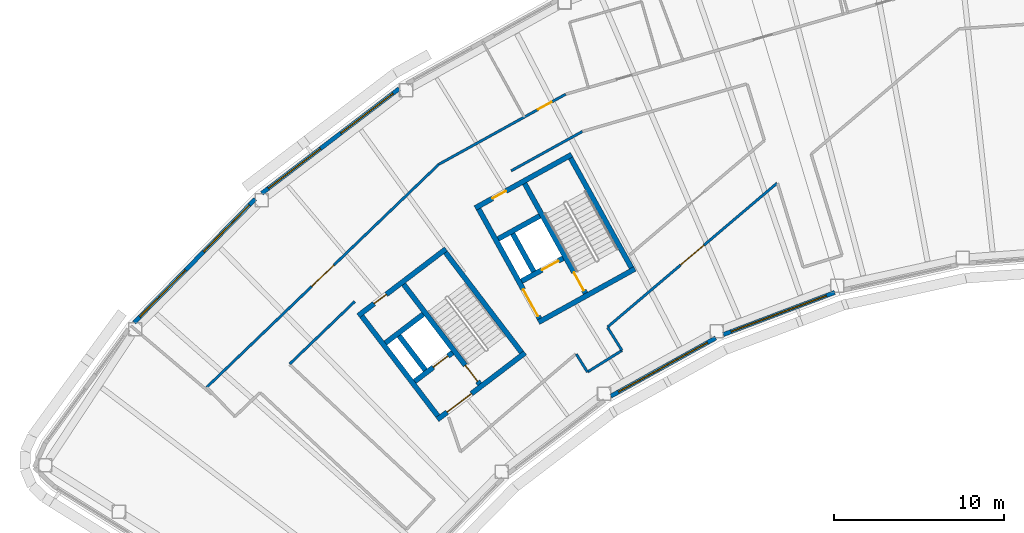
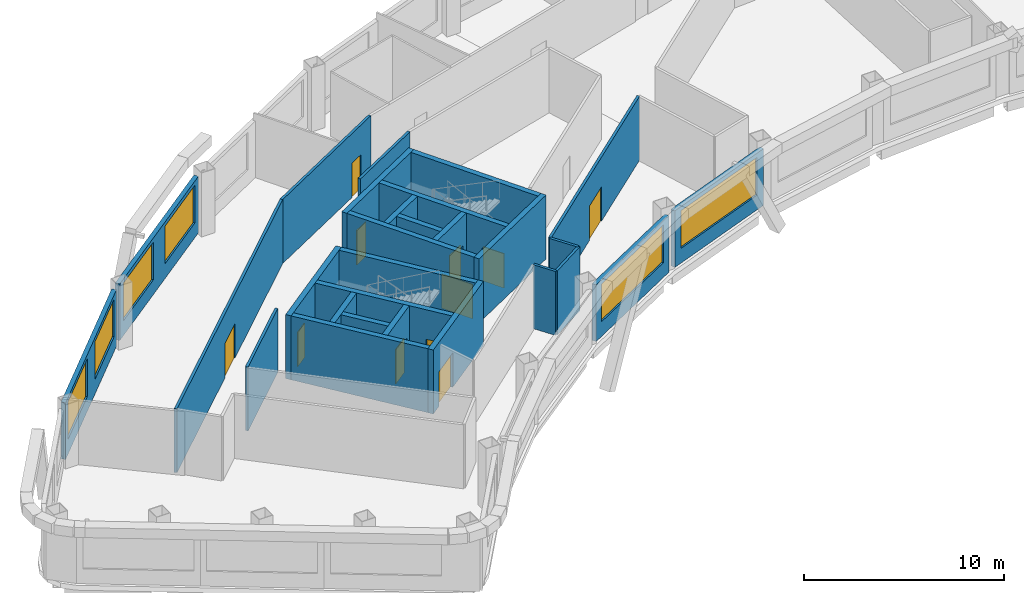
# One storey, part 5 of 15: 28 walls, 11 doors, 6 windows, 17 openings.
"""IFC4 building model written with IfcOpenShell, lengths in metres."""

from ifc_helpers import new_model, si_unit, direction, frame, frame_2d, origin, place, context, subcontext, project, spatial, rectangle, extrude, material, layer, layer_set, type_object, element, fill, save


model = new_model("IFC4")

# Units and contexts
model_context = context("Model", 3, precision=1e-05, world=origin(), true_north=direction((0.0, 1.0)))
body_context = subcontext(model_context, "Body", "Model", "MODEL_VIEW")
ifc_project = project(units=[si_unit("LENGTHUNIT", "METRE"), si_unit("AREAUNIT", "SQUARE_METRE"), si_unit("VOLUMEUNIT", "CUBIC_METRE"), si_unit("PLANEANGLEUNIT", "RADIAN"), si_unit("MASSUNIT", "GRAM", prefix="KILO")], contexts=[model_context])

# Site, building, storey
site_placement = place(None, origin())
site = spatial("IfcSite", under=ifc_project, at=site_placement, CompositionType="ELEMENT")
building_placement = place(site_placement, origin())
building = spatial("IfcBuilding", under=site, at=building_placement, Name="Tuul Gate Civic Tower", CompositionType="ELEMENT")
storey_placement = place(building_placement, frame((0.0, 0.0, 332.300048828125)))
storey = spatial("IfcBuildingStorey", under=building, at=storey_placement, Name="Level 75", CompositionType="ELEMENT", Elevation=332.300048828125)

# Wall, opening, door
ifc_material_1 = material(Name="Concrete C50/60", Category="concrete")
ifc_layer_1 = layer(ifc_material_1, 0.300048828125)
ifc_layer_set_1 = layer_set([ifc_layer_1], Name="Concrete C50/60")
wall_type_1 = type_object("IfcWallType", Name="Core wall C50/60", PredefinedType="SHEAR", material=ifc_layer_set_1)
wall_1_placement = place(storey_placement, frame((-31.19091796875, -13.669677734375, 0.0), z_axis=(0.0, 0.0, 1.0), x_axis=(-0.795606717756, -0.605813461934, 0.0)))
wall_1 = element("IfcWall", 1, at=wall_1_placement, inside=storey, type_object=wall_type_1, Name="Core wall", PredefinedType="SHEAR", context=body_context, shape_type="SweptSolid", body=[
    extrude(rectangle(XDim=6.5, YDim=0.300048828125, at=frame_2d((3.25, 0.0))), origin(), (0.0, 0.0, 1.0), 3.89990234375),
])
opening_1_placement = place(wall_1_placement, frame((3.97509765625, 0.0, 0.0)))
opening_1 = element("IfcOpeningElement", 2, at=opening_1_placement, cuts=wall_1, Name="Opening LB-W1-LOBBY-1", PredefinedType="OPENING", context=body_context, shape_type="SweptSolid", body=[
    extrude(rectangle(XDim=1.800048828125, YDim=2.10009765625, at=frame_2d((0.89990234375, 1.050048828125))), frame((0.0, 0.16015625, 0.0), z_axis=(0.0, -1.0, 0.0), x_axis=(1.0, 0.0, 0.0)), (0.0, 0.0, 1.0), 0.320068359375),
])
ifc_material_2 = material(Name="Steel", Category="steel")
door_type_1 = type_object("IfcDoorType", Name="Lobby door", OperationType="DOUBLE_DOOR_SINGLE_SWING", PredefinedType="DOOR", material=ifc_material_2)
door_1_placement = place(opening_1_placement, origin())
door_1 = element("IfcDoor", 3, at=door_1_placement, inside=storey, type_object=door_type_1, Name="Lobby door W1-LOBBY", OperationType="DOUBLE_DOOR_SINGLE_SWING", OverallHeight=2.10009765625, OverallWidth=1.800048828125, PredefinedType="DOOR", context=body_context, shape_type="SweptSolid", body=[
    extrude(rectangle(XDim=1.800048828125, YDim=2.10009765625, at=frame_2d((0.89990234375, 1.050048828125))), frame((0.0, 0.02490234375, 0.0), z_axis=(0.0, -1.0, 0.0), x_axis=(1.0, 0.0, 0.0)), (0.0, 0.0, 1.0), 0.050048828125),
])
fill(opening_1, door_1)

wall_2_placement = place(storey_placement, frame((-35.470947265625, -13.66064453125, 0.0), z_axis=(0.0, 0.0, 1.0), x_axis=(-0.795615822227, -0.605801504968, 0.0)))
wall_2 = element("IfcWall", 4, at=wall_2_placement, inside=storey, type_object=wall_type_1, Name="Core wall", PredefinedType="SHEAR", context=body_context, shape_type="SweptSolid", body=[
    extrude(rectangle(XDim=2.800048828125, YDim=0.300048828125, at=frame_2d((1.39990234375, 0.0))), origin(), (0.0, 0.0, 1.0), 3.89990234375),
])
opening_2_placement = place(wall_2_placement, frame((0.324951171875, 0.0, 0.0)))
opening_2 = element("IfcOpeningElement", 5, at=opening_2_placement, cuts=wall_2, Name="Opening LD-H1", PredefinedType="OPENING", context=body_context, shape_type="SweptSolid", body=[
    extrude(rectangle(XDim=1.10009765625, YDim=2.10009765625, at=frame_2d((0.550048828125, 1.050048828125))), frame((0.0, 0.16015625, 0.0), z_axis=(0.0, -1.0, 0.0), x_axis=(1.0, 0.0, 0.0)), (0.0, 0.0, 1.0), 0.320068359375),
])
ifc_material_3 = material(Name="Stainless steel", Category="steel")
door_type_2 = type_object("IfcDoorType", Name="Landing door", OperationType="DOUBLE_DOOR_SLIDING", PredefinedType="DOOR", material=ifc_material_3)
door_2_placement = place(opening_2_placement, origin())
door_2 = element("IfcDoor", 6, at=door_2_placement, inside=storey, type_object=door_type_2, Name="High-rise lift H1 landing door", OperationType="DOUBLE_DOOR_SLIDING", OverallHeight=2.10009765625, OverallWidth=1.10009765625, PredefinedType="DOOR", context=body_context, shape_type="SweptSolid", body=[
    extrude(rectangle(XDim=1.10009765625, YDim=2.10009765625, at=frame_2d((0.550048828125, 1.050048828125))), frame((0.0, 0.02490234375, 0.0), z_axis=(0.0, -1.0, 0.0), x_axis=(1.0, 0.0, 0.0)), (0.0, 0.0, 1.0), 0.050048828125),
])
fill(opening_2, door_2)

# Wall
wall_3_placement = place(storey_placement, frame((-37.197509765625, -11.39306640625, 0.0), z_axis=(0.0, 0.0, 1.0), x_axis=(-0.795583820278, -0.605843531707, 0.0)))
element("IfcWall", 7, at=wall_3_placement, inside=storey, type_object=wall_type_1, Name="Core wall", PredefinedType="SHEAR", context=body_context, shape_type="SweptSolid", body=[
    extrude(rectangle(XDim=2.7998046875, YDim=0.300048828125, at=frame_2d((1.39990234375, 0.0))), origin(), (0.0, 0.0, 1.0), 3.89990234375),
])

# Wall, opening, door
wall_4_placement = place(storey_placement, frame((-35.855224609375, -7.543212890625, 0.0), z_axis=(0.0, 0.0, 1.0), x_axis=(-0.79563860527, -0.605771582202, 0.0)))
wall_4 = element("IfcWall", 8, at=wall_4_placement, inside=storey, type_object=wall_type_1, Name="Core wall", PredefinedType="SHEAR", context=body_context, shape_type="SweptSolid", body=[
    extrude(rectangle(XDim=6.5, YDim=0.300048828125, at=frame_2d((3.25, 0.0))), origin(), (0.0, 0.0, 1.0), 3.89990234375),
])
opening_3_placement = place(wall_4_placement, frame((4.425048828125, 0.0, 0.0)))
opening_3 = element("IfcOpeningElement", 9, at=opening_3_placement, cuts=wall_4, Name="Opening AB-D14", PredefinedType="OPENING", context=body_context, shape_type="SweptSolid", body=[
    extrude(rectangle(XDim=0.89990234375, YDim=2.10009765625, at=frame_2d((0.449951171875, 1.050048828125))), frame((0.0, 0.16015625, 0.0), z_axis=(0.0, -1.0, 0.0), x_axis=(1.0, 0.0, 0.0)), (0.0, 0.0, 1.0), 0.320068359375),
])
ifc_material_4 = material(Name="Timber door leaf", Category="wood")
door_type_3 = type_object("IfcDoorType", Name="Door D09", OperationType="NOTDEFINED", PredefinedType="DOOR", material=ifc_material_4)
door_3_placement = place(opening_3_placement, origin())
door_3 = element("IfcDoor", 10, at=door_3_placement, inside=storey, type_object=door_type_3, Name="Door AB-D14", OperationType="SINGLE_SWING_LEFT", OverallHeight=2.10009765625, OverallWidth=0.89990234375, PredefinedType="DOOR", context=body_context, shape_type="SweptSolid", body=[
    extrude(rectangle(XDim=0.89990234375, YDim=2.10009765625, at=frame_2d((0.449951171875, 1.050048828125))), frame((0.0, 0.02490234375, 0.0), z_axis=(0.0, -1.0, 0.0), x_axis=(1.0, 0.0, 0.0)), (0.0, 0.0, 1.0), 0.050048828125),
])
fill(opening_3, door_3)

# Wall
wall_5_placement = place(storey_placement, frame((-31.401123046875, -13.64111328125, 0.0), z_axis=(0.0, 0.0, 1.0), x_axis=(-0.605769822278, 0.795639945213, 0.0)))
element("IfcWall", 11, at=wall_5_placement, inside=storey, type_object=wall_type_1, Name="Core wall", PredefinedType="SHEAR", context=body_context, shape_type="SweptSolid", body=[
    extrude(rectangle(XDim=7.39990234375, YDim=0.300048828125, at=frame_2d((3.699951171875, 0.0))), origin(), (0.0, 0.0, 1.0), 3.89990234375),
])

# Wall, opening, door
wall_6_placement = place(storey_placement, frame((-33.867431640625, -15.51904296875, 0.0), z_axis=(0.0, 0.0, 1.0), x_axis=(-0.605769822278, 0.795639945213, 0.0)))
wall_6 = element("IfcWall", 12, at=wall_6_placement, inside=storey, type_object=wall_type_1, Name="Core wall", PredefinedType="SHEAR", context=body_context, shape_type="SweptSolid", body=[
    extrude(rectangle(XDim=7.39990234375, YDim=0.300048828125, at=frame_2d((3.699951171875, 0.0))), origin(), (0.0, 0.0, 1.0), 3.89990234375),
])
opening_4_placement = place(wall_6_placement, frame((0.199951171875, 0.0, 0.0)))
opening_4 = element("IfcOpeningElement", 13, at=opening_4_placement, cuts=wall_6, Name="Opening SD-ST-1", PredefinedType="OPENING", context=body_context, shape_type="SweptSolid", body=[
    extrude(rectangle(XDim=1.199951171875, YDim=2.10009765625, at=frame_2d((0.60009765625, 1.050048828125))), frame((0.0, 0.16015625, 0.0), z_axis=(0.0, -1.0, 0.0), x_axis=(1.0, 0.0, 0.0)), (0.0, 0.0, 1.0), 0.320068359375),
])
ifc_material_5 = material(Name="Steel", Category="steel")
door_type_4 = type_object("IfcDoorType", Name="Stair door", OperationType="NOTDEFINED", PredefinedType="DOOR", material=ifc_material_5)
door_4_placement = place(opening_4_placement, origin())
door_4 = element("IfcDoor", 14, at=door_4_placement, inside=storey, type_object=door_type_4, Name="Stair door ST-1", OperationType="SINGLE_SWING_LEFT", OverallHeight=2.10009765625, OverallWidth=1.199951171875, PredefinedType="DOOR", context=body_context, shape_type="SweptSolid", body=[
    extrude(rectangle(XDim=1.199951171875, YDim=2.10009765625, at=frame_2d((0.60009765625, 1.050048828125))), frame((0.0, 0.02490234375, 0.0), z_axis=(0.0, -1.0, 0.0), x_axis=(1.0, 0.0, 0.0)), (0.0, 0.0, 1.0), 0.050048828125),
])
fill(opening_4, door_4)

# Walls
wall_7_placement = place(storey_placement, frame((-37.073486328125, -14.6923828125, 0.0), z_axis=(0.0, 0.0, 1.0), x_axis=(-0.605728760074, 0.79567120673, 0.0)))
element("IfcWall", 15, at=wall_7_placement, inside=storey, type_object=wall_type_1, Name="Core wall", PredefinedType="SHEAR", context=body_context, shape_type="SweptSolid", body=[
    extrude(rectangle(XDim=2.550048828125, YDim=0.300048828125, at=frame_2d((1.27490234375, 0.0))), origin(), (0.0, 0.0, 1.0), 3.89990234375),
])
wall_8_placement = place(storey_placement, frame((-36.333984375, -17.397216796875, 0.0), z_axis=(0.0, 0.0, 1.0), x_axis=(-0.605753921168, 0.795652051458, 0.0)))
element("IfcWall", 16, at=wall_8_placement, inside=storey, type_object=wall_type_1, Name="Core wall", PredefinedType="SHEAR", context=body_context, shape_type="SweptSolid", body=[
    extrude(rectangle(XDim=7.400146484375, YDim=0.300048828125, at=frame_2d((3.7001953125, 0.0))), origin(), (0.0, 0.0, 1.0), 3.89990234375),
])
wall_9_placement = place(storey_placement, frame((-24.711669921875, -8.7158203125, 0.0), z_axis=(0.0, 0.0, 1.0), x_axis=(-0.874629909008, -0.484791215132, 0.0)))
element("IfcWall", 17, at=wall_9_placement, inside=storey, type_object=wall_type_1, Name="Core wall", PredefinedType="SHEAR", context=body_context, shape_type="SweptSolid", body=[
    extrude(rectangle(XDim=6.5, YDim=0.300048828125, at=frame_2d((3.25, 0.0))), origin(), (0.0, 0.0, 1.0), 3.89990234375),
])

# Wall, opening, door
wall_10_placement = place(storey_placement, frame((-28.94580078125, -8.090087890625, 0.0), z_axis=(0.0, 0.0, 1.0), x_axis=(-0.874629840737, -0.484791338301, 0.0)))
wall_10 = element("IfcWall", 18, at=wall_10_placement, inside=storey, type_object=wall_type_1, Name="Core wall", PredefinedType="SHEAR", context=body_context, shape_type="SweptSolid", body=[
    extrude(rectangle(XDim=2.800048828125, YDim=0.300048828125, at=frame_2d((1.39990234375, 0.0))), origin(), (0.0, 0.0, 1.0), 3.89990234375),
])
opening_5_placement = place(wall_10_placement, frame((0.324951171875, 0.0, 0.0)))
opening_5 = element("IfcOpeningElement", 19, at=opening_5_placement, cuts=wall_10, Name="Opening LD-FF-1", PredefinedType="OPENING", context=body_context, shape_type="SweptSolid", body=[
    extrude(rectangle(XDim=1.10009765625, YDim=2.10009765625, at=frame_2d((0.550048828125, 1.050048828125))), frame((0.0, 0.16015625, 0.0), z_axis=(0.0, -1.0, 0.0), x_axis=(1.0, 0.0, 0.0)), (0.0, 0.0, 1.0), 0.320068359375),
])
door_5_placement = place(opening_5_placement, origin())
door_5 = element("IfcDoor", 20, at=door_5_placement, inside=storey, type_object=door_type_2, Name="Fire-fighting lift FF-1 landing door", OperationType="DOUBLE_DOOR_SLIDING", OverallHeight=2.10009765625, OverallWidth=1.10009765625, PredefinedType="DOOR", context=body_context, shape_type="SweptSolid", body=[
    extrude(rectangle(XDim=1.10009765625, YDim=2.10009765625, at=frame_2d((0.550048828125, 1.050048828125))), frame((0.0, 0.02490234375, 0.0), z_axis=(0.0, -1.0, 0.0), x_axis=(1.0, 0.0, 0.0)), (0.0, 0.0, 1.0), 0.050048828125),
])
fill(opening_5, door_5)

# Wall
wall_11_placement = place(storey_placement, frame((-30.327392578125, -5.59716796875, 0.0), z_axis=(0.0, 0.0, 1.0), x_axis=(-0.874629840737, -0.484791338301, 0.0)))
element("IfcWall", 21, at=wall_11_placement, inside=storey, type_object=wall_type_1, Name="Core wall", PredefinedType="SHEAR", context=body_context, shape_type="SweptSolid", body=[
    extrude(rectangle(XDim=2.800048828125, YDim=0.300048828125, at=frame_2d((1.39990234375, 0.0))), origin(), (0.0, 0.0, 1.0), 3.89990234375),
])

# Wall, opening, door
wall_12_placement = place(storey_placement, frame((-28.4443359375, -1.98095703125, 0.0), z_axis=(0.0, 0.0, 1.0), x_axis=(-0.874629909008, -0.484791215132, 0.0)))
wall_12 = element("IfcWall", 22, at=wall_12_placement, inside=storey, type_object=wall_type_1, Name="Core wall", PredefinedType="SHEAR", context=body_context, shape_type="SweptSolid", body=[
    extrude(rectangle(XDim=6.5, YDim=0.300048828125, at=frame_2d((3.25, 0.0))), origin(), (0.0, 0.0, 1.0), 3.89990234375),
])
opening_6_placement = place(wall_12_placement, frame((4.425048828125, 0.0, 0.0)))
opening_6 = element("IfcOpeningElement", 23, at=opening_6_placement, cuts=wall_12, Name="Opening AB-D15", PredefinedType="OPENING", context=body_context, shape_type="SweptSolid", body=[
    extrude(rectangle(XDim=0.89990234375, YDim=2.10009765625, at=frame_2d((0.449951171875, 1.050048828125))), frame((0.0, 0.16015625, 0.0), z_axis=(0.0, -1.0, 0.0), x_axis=(1.0, 0.0, 0.0)), (0.0, 0.0, 1.0), 0.320068359375),
])
door_6_placement = place(opening_6_placement, origin())
door_6 = element("IfcDoor", 24, at=door_6_placement, inside=storey, type_object=door_type_3, Name="Door AB-D15", OperationType="SINGLE_SWING_LEFT", OverallHeight=2.10009765625, OverallWidth=0.89990234375, PredefinedType="DOOR", context=body_context, shape_type="SweptSolid", body=[
    extrude(rectangle(XDim=0.89990234375, YDim=2.10009765625, at=frame_2d((0.449951171875, 1.050048828125))), frame((0.0, 0.02490234375, 0.0), z_axis=(0.0, -1.0, 0.0), x_axis=(1.0, 0.0, 0.0)), (0.0, 0.0, 1.0), 0.050048828125),
])
fill(opening_6, door_6)

# Wall
wall_13_placement = place(storey_placement, frame((-24.91552734375, -8.6572265625, 0.0), z_axis=(0.0, 0.0, 1.0), x_axis=(-0.484777133038, 0.874637714304, 0.0)))
element("IfcWall", 25, at=wall_13_placement, inside=storey, type_object=wall_type_1, Name="Core wall", PredefinedType="SHEAR", context=body_context, shape_type="SweptSolid", body=[
    extrude(rectangle(XDim=7.400146484375, YDim=0.300048828125, at=frame_2d((3.7001953125, 0.0))), origin(), (0.0, 0.0, 1.0), 3.89990234375),
])

# Wall, opening, door
wall_14_placement = place(storey_placement, frame((-27.626953125, -10.16015625, 0.0), z_axis=(0.0, 0.0, 1.0), x_axis=(-0.484751894226, 0.874651702704, 0.0)))
wall_14 = element("IfcWall", 26, at=wall_14_placement, inside=storey, type_object=wall_type_1, Name="Core wall", PredefinedType="SHEAR", context=body_context, shape_type="SweptSolid", body=[
    extrude(rectangle(XDim=7.39990234375, YDim=0.300048828125, at=frame_2d((3.699951171875, 0.0))), origin(), (0.0, 0.0, 1.0), 3.89990234375),
])
opening_7_placement = place(wall_14_placement, frame((0.199951171875, 0.0, 0.0)))
opening_7 = element("IfcOpeningElement", 27, at=opening_7_placement, cuts=wall_14, Name="Opening SD-ST-2", PredefinedType="OPENING", context=body_context, shape_type="SweptSolid", body=[
    extrude(rectangle(XDim=1.199951171875, YDim=2.10009765625, at=frame_2d((0.60009765625, 1.050048828125))), frame((0.0, 0.16015625, 0.0), z_axis=(0.0, -1.0, 0.0), x_axis=(1.0, 0.0, 0.0)), (0.0, 0.0, 1.0), 0.320068359375),
])
door_7_placement = place(opening_7_placement, origin())
door_7 = element("IfcDoor", 28, at=door_7_placement, inside=storey, type_object=door_type_4, Name="Stair door ST-2", OperationType="SINGLE_SWING_LEFT", OverallHeight=2.10009765625, OverallWidth=1.199951171875, PredefinedType="DOOR", context=body_context, shape_type="SweptSolid", body=[
    extrude(rectangle(XDim=1.199951171875, YDim=2.10009765625, at=frame_2d((0.60009765625, 1.050048828125))), frame((0.0, 0.02490234375, 0.0), z_axis=(0.0, -1.0, 0.0), x_axis=(1.0, 0.0, 0.0)), (0.0, 0.0, 1.0), 0.050048828125),
])
fill(opening_7, door_7)

# Wall
wall_15_placement = place(storey_placement, frame((-30.680419921875, -8.8798828125, 0.0), z_axis=(0.0, 0.0, 1.0), x_axis=(-0.484724115216, 0.874667097888, 0.0)))
element("IfcWall", 29, at=wall_15_placement, inside=storey, type_object=wall_type_1, Name="Core wall", PredefinedType="SHEAR", context=body_context, shape_type="SweptSolid", body=[
    extrude(rectangle(XDim=2.550048828125, YDim=0.300048828125, at=frame_2d((1.27490234375, 0.0))), origin(), (0.0, 0.0, 1.0), 3.89990234375),
])

# Wall, opening, door
wall_16_placement = place(storey_placement, frame((-30.33837890625, -11.6630859375, 0.0), z_axis=(0.0, 0.0, 1.0), x_axis=(-0.484751894226, 0.874651702704, 0.0)))
wall_16 = element("IfcWall", 30, at=wall_16_placement, inside=storey, type_object=wall_type_1, Name="Core wall", PredefinedType="SHEAR", context=body_context, shape_type="SweptSolid", body=[
    extrude(rectangle(XDim=7.39990234375, YDim=0.300048828125, at=frame_2d((3.699951171875, 0.0))), origin(), (0.0, 0.0, 1.0), 3.89990234375),
])
opening_8_placement = place(wall_16_placement, frame((0.175048828125, 0.0, 0.0)))
opening_8 = element("IfcOpeningElement", 31, at=opening_8_placement, cuts=wall_16, Name="Opening LB-W2-FLOBBY-1", PredefinedType="OPENING", context=body_context, shape_type="SweptSolid", body=[
    extrude(rectangle(XDim=1.800048828125, YDim=2.10009765625, at=frame_2d((0.89990234375, 1.050048828125))), frame((0.0, 0.16015625, 0.0), z_axis=(0.0, -1.0, 0.0), x_axis=(1.0, 0.0, 0.0)), (0.0, 0.0, 1.0), 0.320068359375),
])
door_8_placement = place(opening_8_placement, origin())
door_8 = element("IfcDoor", 32, at=door_8_placement, inside=storey, type_object=door_type_1, Name="Lobby door W2-FLOBBY", OperationType="DOUBLE_DOOR_SINGLE_SWING", OverallHeight=2.10009765625, OverallWidth=1.800048828125, PredefinedType="DOOR", context=body_context, shape_type="SweptSolid", body=[
    extrude(rectangle(XDim=1.800048828125, YDim=2.10009765625, at=frame_2d((0.89990234375, 1.050048828125))), frame((0.0, 0.02490234375, 0.0), z_axis=(0.0, -1.0, 0.0), x_axis=(1.0, 0.0, 0.0)), (0.0, 0.0, 1.0), 0.050048828125),
])
fill(opening_8, door_8)

ifc_material_6 = material(Name="Gypsum board partition")
ifc_layer_2 = layer(ifc_material_6, 0.14990234375)
ifc_layer_set_2 = layer_set([ifc_layer_2], Name="Gypsum board partition")
wall_type_2 = type_object("IfcWallType", Name="Corridor wall P150", PredefinedType="PARTITIONING", material=ifc_layer_set_2)
wall_17_placement = place(storey_placement, frame((-36.273193359375, -2.5517578125, 0.0), z_axis=(0.0, 0.0, 1.0), x_axis=(0.875264133396, 0.483645217892, 0.0)))
wall_17 = element("IfcWall", 33, at=wall_17_placement, inside=storey, type_object=wall_type_2, Name="p028", PredefinedType="PARTITIONING", context=body_context, shape_type="SweptSolid", body=[
    extrude(rectangle(XDim=8.545166015625, YDim=0.14990234375, at=frame_2d((4.2724609375, 0.0))), origin(), (0.0, 0.0, 1.0), 3.89990234375),
])
opening_9_placement = place(wall_17_placement, frame((6.68603515625, 0.0, 0.0)))
opening_9 = element("IfcOpeningElement", 34, at=opening_9_placement, cuts=wall_17, Name="Opening AB-D12", PredefinedType="OPENING", context=body_context, shape_type="SweptSolid", body=[
    extrude(rectangle(XDim=0.89990234375, YDim=2.10009765625, at=frame_2d((0.449951171875, 1.050048828125))), frame((0.0, 0.0849609375, 0.0), z_axis=(0.0, -1.0, 0.0), x_axis=(1.0, 0.0, 0.0)), (0.0, 0.0, 1.0), 0.169921875),
])
door_9_placement = place(opening_9_placement, origin())
door_9 = element("IfcDoor", 35, at=door_9_placement, inside=storey, type_object=door_type_3, Name="Door AB-D12", OperationType="SINGLE_SWING_LEFT", OverallHeight=2.10009765625, OverallWidth=0.89990234375, PredefinedType="DOOR", context=body_context, shape_type="SweptSolid", body=[
    extrude(rectangle(XDim=0.89990234375, YDim=2.10009765625, at=frame_2d((0.449951171875, 1.050048828125))), frame((0.0, 0.02490234375, 0.0), z_axis=(0.0, -1.0, 0.0), x_axis=(1.0, 0.0, 0.0)), (0.0, 0.0, 1.0), 0.050048828125),
])
fill(opening_9, door_9)

wall_18_placement = place(storey_placement, frame((-49.96337890625, -15.701416015625, 0.0), z_axis=(0.0, 0.0, 1.0), x_axis=(0.721200960426, 0.692725901552, 0.0)))
wall_18 = element("IfcWall", 36, at=wall_18_placement, inside=storey, type_object=wall_type_2, Name="p029", PredefinedType="PARTITIONING", context=body_context, shape_type="SweptSolid", body=[
    extrude(rectangle(XDim=18.982421875, YDim=0.14990234375, at=frame_2d((9.4912109375, 0.0))), origin(), (0.0, 0.0, 1.0), 3.89990234375),
])
opening_10_placement = place(wall_18_placement, frame((8.59130859375, 0.0, 0.0)))
opening_10 = element("IfcOpeningElement", 37, at=opening_10_placement, cuts=wall_18, Name="Opening AB-D05", PredefinedType="OPENING", context=body_context, shape_type="SweptSolid", body=[
    extrude(rectangle(XDim=1.800048828125, YDim=2.10009765625, at=frame_2d((0.89990234375, 1.050048828125))), frame((0.0, 0.0849609375, 0.0), z_axis=(0.0, -1.0, 0.0), x_axis=(1.0, 0.0, 0.0)), (0.0, 0.0, 1.0), 0.169921875),
])
ifc_material_7 = material(Name="Timber door leaf, double", Category="wood")
door_type_5 = type_object("IfcDoorType", Name="Door D18", OperationType="DOUBLE_DOOR_SINGLE_SWING", PredefinedType="DOOR", material=ifc_material_7)
door_10_placement = place(opening_10_placement, origin())
door_10 = element("IfcDoor", 38, at=door_10_placement, inside=storey, type_object=door_type_5, Name="Door AB-D05", OperationType="DOUBLE_DOOR_SINGLE_SWING", OverallHeight=2.10009765625, OverallWidth=1.800048828125, PredefinedType="DOOR", context=body_context, shape_type="SweptSolid", body=[
    extrude(rectangle(XDim=1.800048828125, YDim=2.10009765625, at=frame_2d((0.89990234375, 1.050048828125))), frame((0.0, 0.02490234375, 0.0), z_axis=(0.0, -1.0, 0.0), x_axis=(1.0, 0.0, 0.0)), (0.0, 0.0, 1.0), 0.050048828125),
])
fill(opening_10, door_10)

# Wall
wall_19_placement = place(storey_placement, frame((-45.06982421875, -14.32861328125, 0.0), z_axis=(0.0, 0.0, 1.0), x_axis=(0.721217580517, 0.692708597863, 0.0)))
element("IfcWall", 39, at=wall_19_placement, inside=storey, type_object=wall_type_2, Name="p050", PredefinedType="PARTITIONING", context=body_context, shape_type="SweptSolid", body=[
    extrude(rectangle(XDim=5.318115234375, YDim=0.14990234375, at=frame_2d((2.6591796875, 0.0))), origin(), (0.0, 0.0, 1.0), 3.89990234375),
])

# Wall, opening, door
wall_20_placement = place(storey_placement, frame((-26.322021484375, -12.1455078125, 0.0), z_axis=(0.0, 0.0, 1.0), x_axis=(0.762341428819, 0.647175050436, 0.0)))
wall_20 = element("IfcWall", 40, at=wall_20_placement, inside=storey, type_object=wall_type_2, Name="p056", PredefinedType="PARTITIONING", context=body_context, shape_type="SweptSolid", body=[
    extrude(rectangle(XDim=13.10302734375, YDim=0.14990234375, at=frame_2d((6.551513671875, 0.0))), origin(), (0.0, 0.0, 1.0), 3.89990234375),
])
opening_11_placement = place(wall_20_placement, frame((5.651611328125, 0.0, 0.0)))
opening_11 = element("IfcOpeningElement", 41, at=opening_11_placement, cuts=wall_20, Name="Opening AB-D08", PredefinedType="OPENING", context=body_context, shape_type="SweptSolid", body=[
    extrude(rectangle(XDim=1.800048828125, YDim=2.10009765625, at=frame_2d((0.89990234375, 1.050048828125))), frame((0.0, 0.0849609375, 0.0), z_axis=(0.0, -1.0, 0.0), x_axis=(1.0, 0.0, 0.0)), (0.0, 0.0, 1.0), 0.169921875),
])
door_11_placement = place(opening_11_placement, frame((1.800048828125, 0.0, 0.0), z_axis=(0.0, 0.0, 1.0), x_axis=(-1.0, 0.0, 0.0)))
door_11 = element("IfcDoor", 42, at=door_11_placement, inside=storey, type_object=door_type_5, Name="Door AB-D08", OperationType="DOUBLE_DOOR_SINGLE_SWING", OverallHeight=2.10009765625, OverallWidth=1.800048828125, PredefinedType="DOOR", context=body_context, shape_type="SweptSolid", body=[
    extrude(rectangle(XDim=1.800048828125, YDim=2.10009765625, at=frame_2d((0.900146484375, 1.050048828125))), frame((0.0, 0.02490234375, 0.0), z_axis=(0.0, -1.0, 0.0), x_axis=(1.0, 0.0, 0.0)), (0.0, 0.0, 1.0), 0.050048828125),
])
fill(opening_11, door_11)

# Walls
wall_21_placement = place(storey_placement, frame((-28.170654296875, -13.744873046875, 0.0), z_axis=(0.0, 0.0, 1.0), x_axis=(0.529875724893, -0.848075301002, 0.0)))
element("IfcWall", 43, at=wall_21_placement, inside=storey, type_object=wall_type_2, Name="p058", PredefinedType="PARTITIONING", context=body_context, shape_type="SweptSolid", body=[
    extrude(rectangle(XDim=1.246826171875, YDim=0.14990234375, at=frame_2d((0.62353515625, 0.0))), origin(), (0.0, 0.0, 1.0), 3.89990234375),
])
wall_22_placement = place(storey_placement, frame((-27.510009765625, -14.80224609375, 0.0), z_axis=(0.0, 0.0, 1.0), x_axis=(0.848072588448, 0.529880066358, 0.0)))
element("IfcWall", 44, at=wall_22_placement, inside=storey, type_object=wall_type_2, Name="p059", PredefinedType="PARTITIONING", context=body_context, shape_type="SweptSolid", body=[
    extrude(rectangle(XDim=2.400146484375, YDim=0.14990234375, at=frame_2d((1.2001953125, 0.0))), origin(), (0.0, 0.0, 1.0), 3.89990234375),
])
wall_23_placement = place(storey_placement, frame((-26.32470703125, -12.169921875, 0.0), z_axis=(0.0, 0.0, 1.0), x_axis=(0.529875825978, -0.848075237844, 0.0)))
element("IfcWall", 45, at=wall_23_placement, inside=storey, type_object=wall_type_2, Name="p060", PredefinedType="PARTITIONING", context=body_context, shape_type="SweptSolid", body=[
    extrude(rectangle(XDim=1.604248046875, YDim=0.14990234375, at=frame_2d((0.80224609375, 0.0))), origin(), (0.0, 0.0, 1.0), 3.89990234375),
])
wall_24_placement = place(storey_placement, frame((-32.012939453125, -2.939697265625, 0.0), z_axis=(0.0, 0.0, 1.0), x_axis=(0.875276121577, 0.483623521964, 0.0)))
element("IfcWall", 46, at=wall_24_placement, inside=storey, type_object=wall_type_2, Name="p073", PredefinedType="PARTITIONING", context=body_context, shape_type="SweptSolid", body=[
    extrude(rectangle(XDim=4.796875, YDim=0.14990234375, at=frame_2d((2.3984375, 0.0))), origin(), (0.0, 0.0, 1.0), 3.89990234375),
])

# Wall, openings, windows
ifc_material_8 = material(Name="Precast concrete C40/50", Category="concrete")
ifc_layer_3 = layer(ifc_material_8, 0.25)
ifc_layer_set_3 = layer_set([ifc_layer_3], Name="Precast concrete C40/50")
wall_type_3 = type_object("IfcWallType", Name="External wall", PredefinedType="STANDARD", material=ifc_layer_set_3)
wall_25_placement = place(storey_placement, frame((-38.610107421875, 1.909423828125, 0.0), z_axis=(0.0, 0.0, 1.0), x_axis=(-0.795611005019, -0.605807831488, 0.0)))
wall_25 = element("IfcWall", 47, at=wall_25_placement, inside=storey, type_object=wall_type_3, Name="External wall", PredefinedType="STANDARD", context=body_context, shape_type="SweptSolid", body=[
    extrude(rectangle(XDim=10.188720703125, YDim=0.25, at=frame_2d((5.09423828125, 0.0))), origin(), (0.0, 0.0, 1.0), 3.449951171875),
])
opening_12_placement = place(wall_25_placement, frame((0.47314453125, 0.0, 0.89990234375)))
opening_12 = element("IfcOpeningElement", 48, at=opening_12_placement, cuts=wall_25, Name="Opening W22", PredefinedType="OPENING", context=body_context, shape_type="SweptSolid", body=[
    extrude(rectangle(XDim=3.85009765625, YDim=2.300048828125, at=frame_2d((1.925048828125, 1.14990234375))), frame((0.0, 0.135009765625, 0.0), z_axis=(0.0, -1.0, 0.0), x_axis=(1.0, 0.0, 0.0)), (0.0, 0.0, 1.0), 0.27001953125),
])
opening_13_placement = place(wall_25_placement, frame((5.844482421875, 0.0, 0.89990234375)))
opening_13 = element("IfcOpeningElement", 49, at=opening_13_placement, cuts=wall_25, Name="Opening W22", PredefinedType="OPENING", context=body_context, shape_type="SweptSolid", body=[
    extrude(rectangle(XDim=3.85009765625, YDim=2.300048828125, at=frame_2d((1.925048828125, 1.14990234375))), frame((0.0, 0.135009765625, 0.0), z_axis=(0.0, -1.0, 0.0), x_axis=(1.0, 0.0, 0.0)), (0.0, 0.0, 1.0), 0.27001953125),
])
ifc_material_9 = material(Name="Glass", Category="glass")
window_type_1 = type_object("IfcWindowType", Name="Window W22 3850 x 2300", PartitioningType="SINGLE_PANEL", PredefinedType="WINDOW", material=ifc_material_9)
window_1_placement = place(opening_12_placement, origin())
window_1 = element("IfcWindow", 50, at=window_1_placement, inside=storey, type_object=window_type_1, Name="Window", OverallHeight=2.300048828125, OverallWidth=3.85009765625, PartitioningType="SINGLE_PANEL", PredefinedType="WINDOW", context=body_context, shape_type="SweptSolid", body=[
    extrude(rectangle(XDim=3.85009765625, YDim=2.300048828125, at=frame_2d((1.925048828125, 1.14990234375))), frame((0.0, 0.030029296875, 0.0), z_axis=(0.0, -1.0, 0.0), x_axis=(1.0, 0.0, 0.0)), (0.0, 0.0, 1.0), 0.06005859375),
])
fill(opening_12, window_1)
window_2_placement = place(opening_13_placement, origin())
window_2 = element("IfcWindow", 51, at=window_2_placement, inside=storey, type_object=window_type_1, Name="Window", OverallHeight=2.300048828125, OverallWidth=3.85009765625, PartitioningType="SINGLE_PANEL", PredefinedType="WINDOW", context=body_context, shape_type="SweptSolid", body=[
    extrude(rectangle(XDim=3.85009765625, YDim=2.300048828125, at=frame_2d((1.925048828125, 1.14990234375))), frame((0.0, 0.030029296875, 0.0), z_axis=(0.0, -1.0, 0.0), x_axis=(1.0, 0.0, 0.0)), (0.0, 0.0, 1.0), 0.06005859375),
])
fill(opening_13, window_2)

wall_26_placement = place(storey_placement, frame((-47.10595703125, -4.607666015625, 0.0), z_axis=(0.0, 0.0, 1.0), x_axis=(-0.700055609081, -0.714088330807, 0.0)))
wall_26 = element("IfcWall", 52, at=wall_26_placement, inside=storey, type_object=wall_type_3, Name="External wall", PredefinedType="STANDARD", context=body_context, shape_type="SweptSolid", body=[
    extrude(rectangle(XDim=10.1953125, YDim=0.25, at=frame_2d((5.09765625, 0.0))), origin(), (0.0, 0.0, 1.0), 3.449951171875),
])
opening_14_placement = place(wall_26_placement, frame((0.4873046875, 0.0, 0.89990234375)))
opening_14 = element("IfcOpeningElement", 53, at=opening_14_placement, cuts=wall_26, Name="Opening W22", PredefinedType="OPENING", context=body_context, shape_type="SweptSolid", body=[
    extrude(rectangle(XDim=3.85009765625, YDim=2.300048828125, at=frame_2d((1.925048828125, 1.14990234375))), frame((0.0, 0.135009765625, 0.0), z_axis=(0.0, -1.0, 0.0), x_axis=(1.0, 0.0, 0.0)), (0.0, 0.0, 1.0), 0.27001953125),
])
opening_15_placement = place(wall_26_placement, frame((5.8583984375, 0.0, 0.89990234375)))
opening_15 = element("IfcOpeningElement", 54, at=opening_15_placement, cuts=wall_26, Name="Opening W22", PredefinedType="OPENING", context=body_context, shape_type="SweptSolid", body=[
    extrude(rectangle(XDim=3.85009765625, YDim=2.300048828125, at=frame_2d((1.925048828125, 1.14990234375))), frame((0.0, 0.135009765625, 0.0), z_axis=(0.0, -1.0, 0.0), x_axis=(1.0, 0.0, 0.0)), (0.0, 0.0, 1.0), 0.27001953125),
])
window_3_placement = place(opening_14_placement, origin())
window_3 = element("IfcWindow", 55, at=window_3_placement, inside=storey, type_object=window_type_1, Name="Window", OverallHeight=2.300048828125, OverallWidth=3.85009765625, PartitioningType="SINGLE_PANEL", PredefinedType="WINDOW", context=body_context, shape_type="SweptSolid", body=[
    extrude(rectangle(XDim=3.85009765625, YDim=2.300048828125, at=frame_2d((1.925048828125, 1.14990234375))), frame((0.0, 0.030029296875, 0.0), z_axis=(0.0, -1.0, 0.0), x_axis=(1.0, 0.0, 0.0)), (0.0, 0.0, 1.0), 0.06005859375),
])
fill(opening_14, window_3)
window_4_placement = place(opening_15_placement, origin())
window_4 = element("IfcWindow", 56, at=window_4_placement, inside=storey, type_object=window_type_1, Name="Window", OverallHeight=2.300048828125, OverallWidth=3.85009765625, PartitioningType="SINGLE_PANEL", PredefinedType="WINDOW", context=body_context, shape_type="SweptSolid", body=[
    extrude(rectangle(XDim=3.85009765625, YDim=2.300048828125, at=frame_2d((1.925048828125, 1.14990234375))), frame((0.0, 0.030029296875, 0.0), z_axis=(0.0, -1.0, 0.0), x_axis=(1.0, 0.0, 0.0)), (0.0, 0.0, 1.0), 0.06005859375),
])
fill(opening_15, window_4)

# Wall, opening, window
wall_27_placement = place(storey_placement, frame((-26.135009765625, -16.226318359375, 0.0), z_axis=(0.0, 0.0, 1.0), x_axis=(0.874614232828, 0.484819496034, 0.0)))
wall_27 = element("IfcWall", 57, at=wall_27_placement, inside=storey, type_object=wall_type_3, Name="External wall", PredefinedType="STANDARD", context=body_context, shape_type="SweptSolid", body=[
    extrude(rectangle(XDim=7.07568359375, YDim=0.25, at=frame_2d((3.537841796875, 0.0))), origin(), (0.0, 0.0, 1.0), 3.449951171875),
])
opening_16_placement = place(wall_27_placement, frame((0.51904296875, 0.0, 0.89990234375)))
opening_16 = element("IfcOpeningElement", 58, at=opening_16_placement, cuts=wall_27, Name="Opening W26", PredefinedType="OPENING", context=body_context, shape_type="SweptSolid", body=[
    extrude(rectangle(XDim=6.0, YDim=2.300048828125, at=frame_2d((3.0, 1.14990234375))), frame((0.0, 0.135009765625, 0.0), z_axis=(0.0, -1.0, 0.0), x_axis=(1.0, 0.0, 0.0)), (0.0, 0.0, 1.0), 0.27001953125),
])
ifc_material_10 = material(Name="Glass", Category="glass")
window_type_2 = type_object("IfcWindowType", Name="Window W26 6000 x 2300", PartitioningType="SINGLE_PANEL", PredefinedType="WINDOW", material=ifc_material_10)
window_5_placement = place(opening_16_placement, origin())
window_5 = element("IfcWindow", 59, at=window_5_placement, inside=storey, type_object=window_type_2, Name="Window", OverallHeight=2.300048828125, OverallWidth=6.0, PartitioningType="SINGLE_PANEL", PredefinedType="WINDOW", context=body_context, shape_type="SweptSolid", body=[
    extrude(rectangle(XDim=6.0, YDim=2.300048828125, at=frame_2d((3.0, 1.14990234375))), frame((0.0, 0.030029296875, 0.0), z_axis=(0.0, -1.0, 0.0), x_axis=(1.0, 0.0, 0.0)), (0.0, 0.0, 1.0), 0.06005859375),
])
fill(opening_16, window_5)

wall_28_placement = place(storey_placement, frame((-19.4951171875, -12.592041015625, 0.0), z_axis=(0.0, 0.0, 1.0), x_axis=(0.935367772721, 0.353676589209, 0.0)))
wall_28 = element("IfcWall", 60, at=wall_28_placement, inside=storey, type_object=wall_type_3, Name="External wall", PredefinedType="STANDARD", context=body_context, shape_type="SweptSolid", body=[
    extrude(rectangle(XDim=7.017578125, YDim=0.25, at=frame_2d((3.5087890625, 0.0))), origin(), (0.0, 0.0, 1.0), 3.449951171875),
])
opening_17_placement = place(wall_28_placement, frame((0.491455078125, 0.0, 0.89990234375)))
opening_17 = element("IfcOpeningElement", 61, at=opening_17_placement, cuts=wall_28, Name="Opening W26", PredefinedType="OPENING", context=body_context, shape_type="SweptSolid", body=[
    extrude(rectangle(XDim=6.0, YDim=2.300048828125, at=frame_2d((3.0, 1.14990234375))), frame((0.0, 0.135009765625, 0.0), z_axis=(0.0, -1.0, 0.0), x_axis=(1.0, 0.0, 0.0)), (0.0, 0.0, 1.0), 0.27001953125),
])
window_6_placement = place(opening_17_placement, origin())
window_6 = element("IfcWindow", 62, at=window_6_placement, inside=storey, type_object=window_type_2, Name="Window", OverallHeight=2.300048828125, OverallWidth=6.0, PartitioningType="SINGLE_PANEL", PredefinedType="WINDOW", context=body_context, shape_type="SweptSolid", body=[
    extrude(rectangle(XDim=6.0, YDim=2.300048828125, at=frame_2d((3.0, 1.14990234375))), frame((0.0, 0.030029296875, 0.0), z_axis=(0.0, -1.0, 0.0), x_axis=(1.0, 0.0, 0.0)), (0.0, 0.0, 1.0), 0.06005859375),
])
fill(opening_17, window_6)

save(model, "model.ifc")
